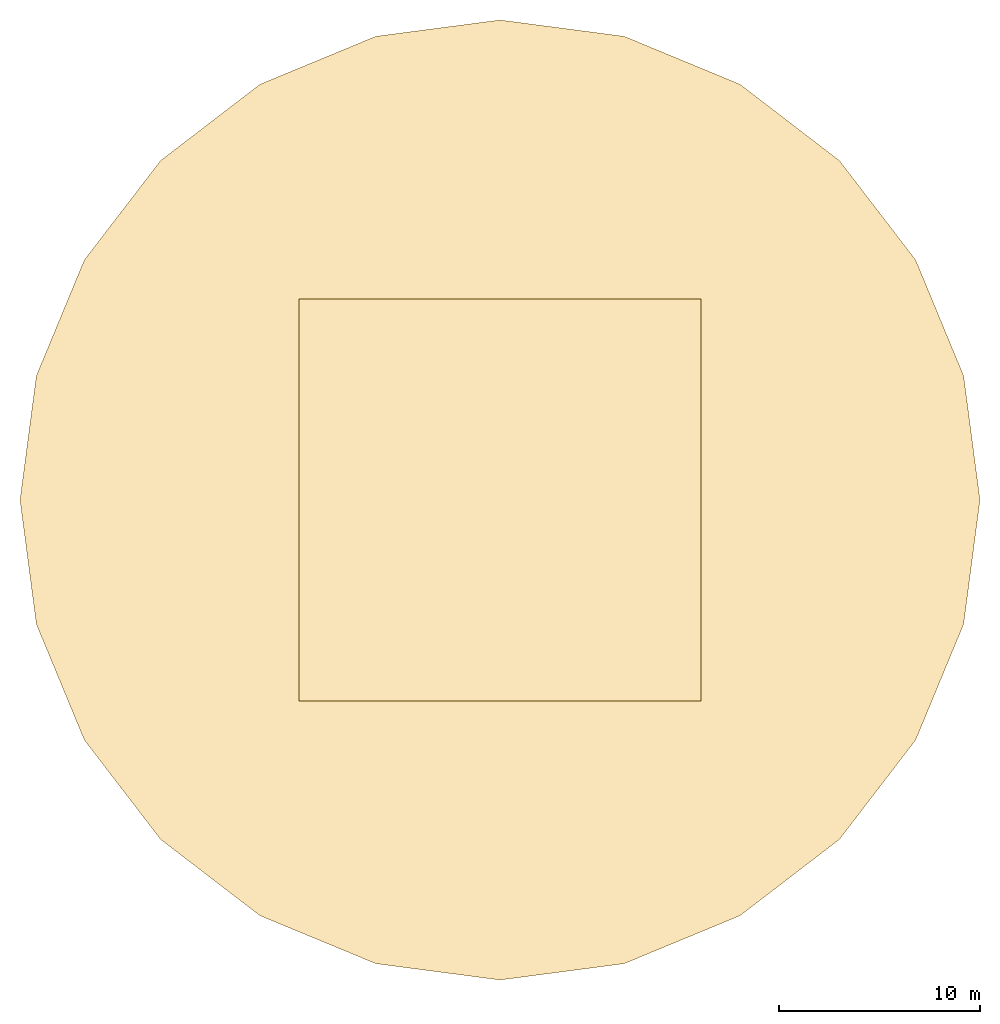
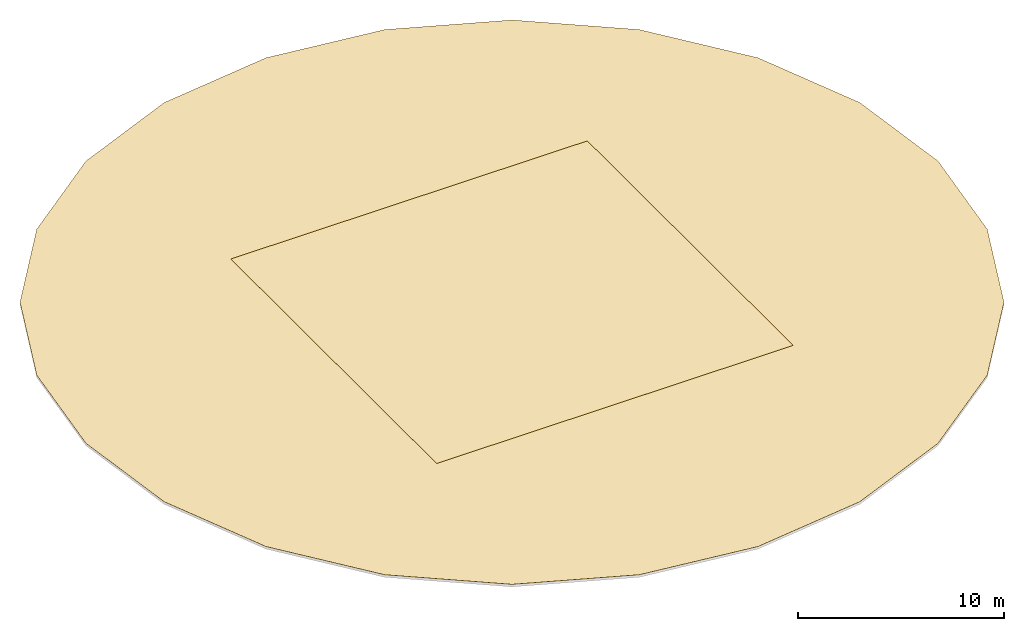
# One storey, part 2 of 2: 2 coverings.
"""IFC4 building model written with IfcOpenShell, lengths in metres."""

from ifc_helpers import new_model, si_unit, direction, frame, origin, place, context, subcontext, project, spatial, polyline, outline, extrude, material, layer, layer_set, type_object, element, save


model = new_model("IFC4")

# Units and contexts
model_context = context("Model", 3, precision=1e-05, world=origin(), true_north=direction((0.0, 1.0)))
body_context = subcontext(model_context, "Body", "Model", "MODEL_VIEW")
ifc_project = project(units=[si_unit("LENGTHUNIT", "METRE"), si_unit("AREAUNIT", "SQUARE_METRE"), si_unit("VOLUMEUNIT", "CUBIC_METRE"), si_unit("PLANEANGLEUNIT", "RADIAN"), si_unit("MASSUNIT", "GRAM", prefix="KILO")], contexts=[model_context])

# Site, building, storey
site_placement = place(None, origin())
site = spatial("IfcSite", under=ifc_project, at=site_placement, CompositionType="ELEMENT")
building_placement = place(site_placement, origin())
building = spatial("IfcBuilding", under=site, at=building_placement, Name="Golbaran Civic Tower", CompositionType="ELEMENT")
storey_placement = place(building_placement, frame((0.0, 0.0, 289.699951171875)))
storey = spatial("IfcBuildingStorey", under=building, at=storey_placement, Name="ROOF", CompositionType="ELEMENT", Elevation=289.699951171875)

# Coverings
ifc_material = material(Name="Reinforced bitumen membrane", Category="concrete")
ifc_layer = layer(ifc_material, 0.010009765625, Name="Reinforced bitumen membrane")
ifc_layer_set = layer_set([ifc_layer], Name="Reinforced bitumen membrane")
covering_type = type_object("IfcCoveringType", Name="WATERPROOFING MEMBRANE 10", PredefinedType="MEMBRANE", material=ifc_layer_set)
covering_1_placement = place(storey_placement, frame((0.0, 0.0, 0.2900390625)))
element("IfcCovering", 1, at=covering_1_placement, inside=storey, type_object=covering_type, Name="Waterproofing membrane L69", PredefinedType="MEMBRANE", context=body_context, shape_type="SweptSolid", body=[
    extrude(outline(polyline([(20.697998046875, -11.949951171875), (16.89990234375, -16.89990234375), (11.949951171875, -20.697998046875), (6.185791015625, -23.085693359375), (0.0, -23.89990234375), (-6.185791015625, -23.085693359375), (-11.949951171875, -20.697998046875), (-16.89990234375, -16.89990234375), (-20.697998046875, -11.949951171875), (-23.085693359375, -6.185791015625), (-23.89990234375, 0.0), (-23.085693359375, 6.185791015625), (-20.697998046875, 11.949951171875), (-16.89990234375, 16.89990234375), (-11.949951171875, 20.697998046875), (-6.185791015625, 23.085693359375), (0.0, 23.89990234375), (6.185791015625, 23.085693359375), (11.949951171875, 20.697998046875), (16.89990234375, 16.89990234375), (20.697998046875, 11.949951171875), (23.085693359375, 6.185791015625), (23.89990234375, 0.0), (23.085693359375, -6.185791015625), (20.697998046875, -11.949951171875)]), holes=[polyline([(-10.0, 10.0), (-10.0, -10.0), (10.0, -10.0), (10.0, 10.0), (-10.0, 10.0)])]), origin(), (0.0, 0.0, 1.0), 0.010009765625),
])
covering_2_placement = place(storey_placement, frame((0.0, 0.0, 0.2900390625)))
element("IfcCovering", 2, at=covering_2_placement, inside=storey, type_object=covering_type, Name="Waterproofing membrane L69", PredefinedType="MEMBRANE", context=body_context, shape_type="SweptSolid", body=[
    extrude(outline(polyline([(-10.0, -10.0), (-10.0, 10.0), (10.0, 10.0), (10.0, -10.0), (-10.0, -10.0)])), origin(), (0.0, 0.0, 1.0), 0.010009765625),
])

save(model, "model.ifc")
